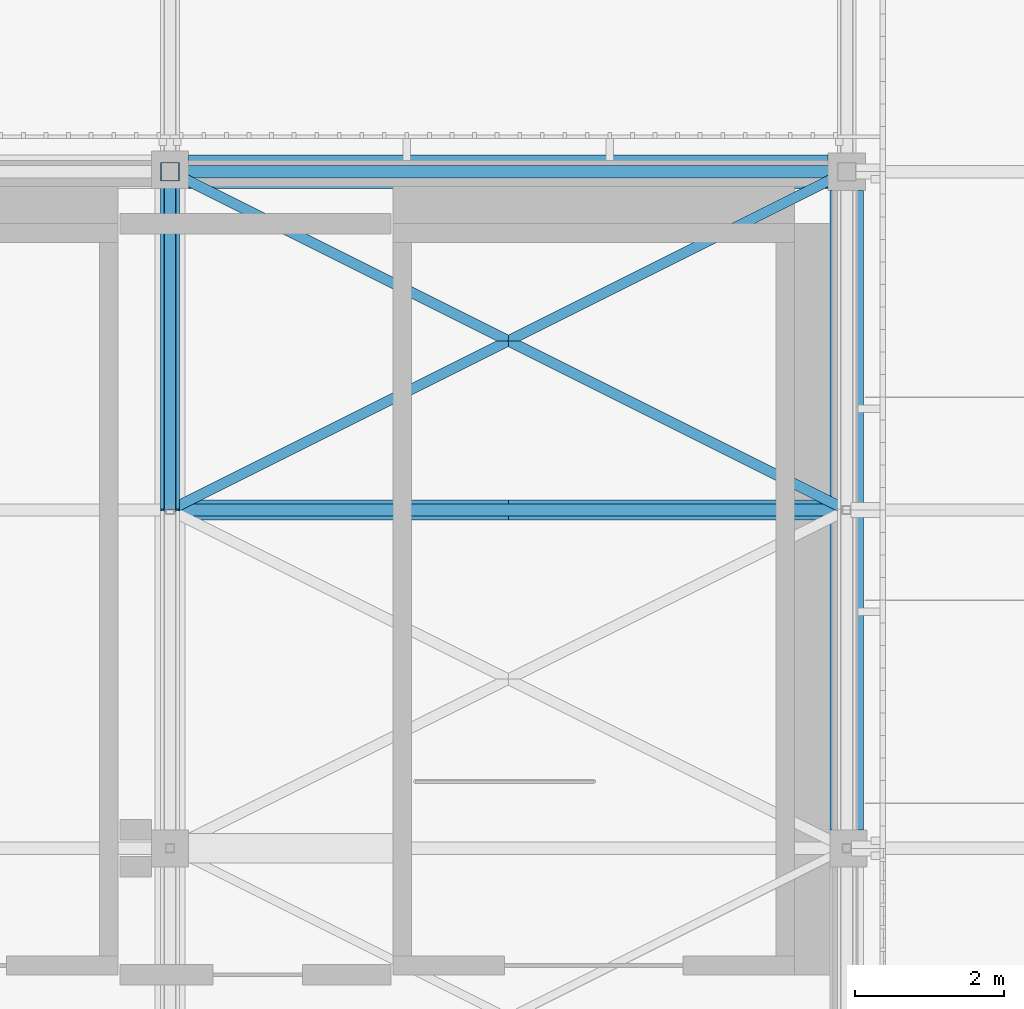
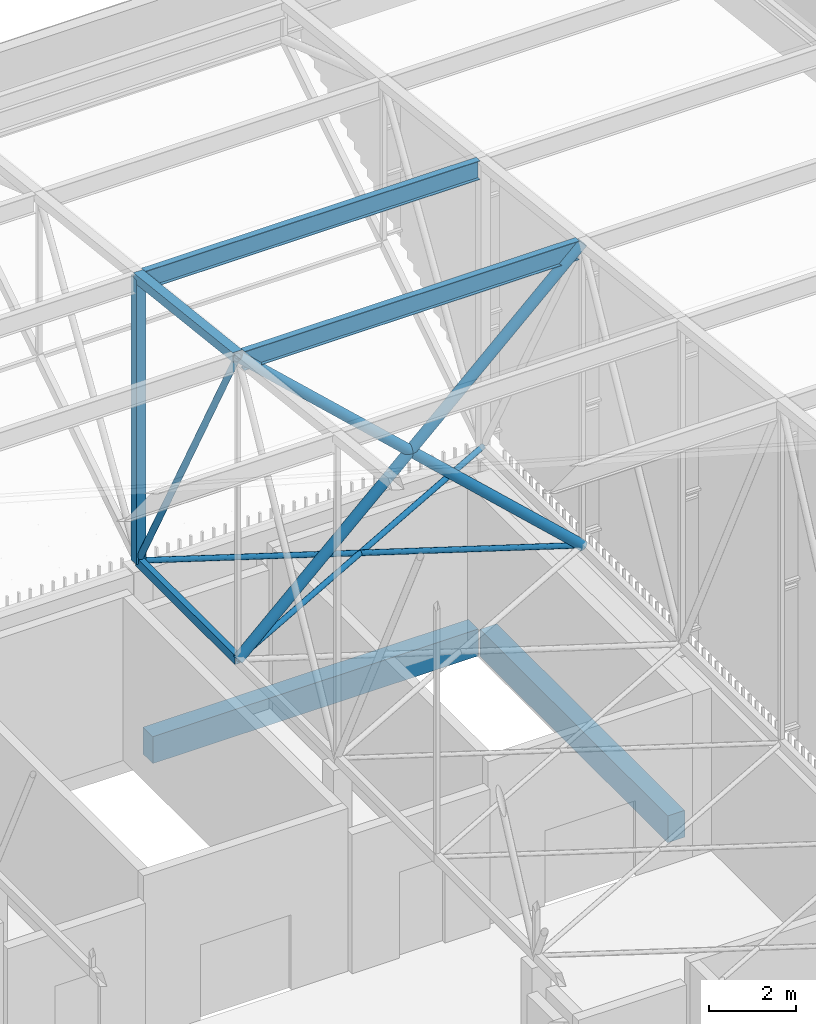
# One storey, part 406 of 500: 10 members, 2 beams.
"""IFC4 building model written with IfcOpenShell, lengths in metres."""

from ifc_helpers import new_model, si_unit, direction, frame, origin, origin_2d, place, context, subcontext, project, spatial, rectangle, hollow_rectangle, hollow_circle, i_section, extrude, material, material_profile, profile_set, type_object, element, save


model = new_model("IFC4")

# Units and contexts
model_context = context("Model", 3, precision=1e-05, world=origin(), true_north=direction((0.0, 1.0)))
body_context = subcontext(model_context, "Body", "Model", "MODEL_VIEW")
ifc_project = project(units=[si_unit("LENGTHUNIT", "METRE"), si_unit("AREAUNIT", "SQUARE_METRE"), si_unit("VOLUMEUNIT", "CUBIC_METRE"), si_unit("PLANEANGLEUNIT", "RADIAN"), si_unit("MASSUNIT", "GRAM", prefix="KILO")], contexts=[model_context])

# Site, building, storey
site_placement = place(None, origin())
site = spatial("IfcSite", under=ifc_project, at=site_placement, CompositionType="ELEMENT")
building_placement = place(site_placement, origin())
building = spatial("IfcBuilding", under=site, at=building_placement, Name="Shirokan Park Arena", CompositionType="ELEMENT")
storey_placement = place(building_placement, frame((0.0, 0.0, 29.1201171875)))
storey = spatial("IfcBuildingStorey", under=building, at=storey_placement, Name="L06", CompositionType="ELEMENT", Elevation=29.1201171875)

# Members
ifc_material_1 = material(Name="Steel ASTM A500 Grade C", Category="steel")
ifc_material_profile_1 = material_profile(ifc_material_1, hollow_circle(Radius=0.136474609375, WallThickness=0.009521484375, at=origin_2d()), Name="HSS273.1X9.5")
ifc_profile_set_1 = profile_set([ifc_material_profile_1], Name="Steel ASTM A500 Grade C")
member_type_1 = type_object("IfcMemberType", Name="Bearing bracing HSS273.1X9.5", PredefinedType="BRACE", material=ifc_profile_set_1)
for number, where, z_axis, x_axis, name in (
    (1, (136.5, 104.64990234375, 4.677001953125), (0.732162134473, 0.0, 0.681130390486), (0.0, 1.0, 0.0), "Bearing bracing bay 16 node 26 A"),
    (2, (145.60009765625, 104.64990234375, 4.677001953125), (-0.732162134473, 0.0, 0.681130390486), (0.0, -1.0, 0.0), "Bearing bracing bay 16 node 26 B"),
):
    element("IfcMember", number, at=place(storey_placement, frame(where, z_axis=z_axis, x_axis=x_axis)), inside=storey, type_object=member_type_1, Name=name, PredefinedType="BRACE", context=body_context, shape_type="SweptSolid", body=[
        extrude(hollow_circle(Radius=0.136474609375, WallThickness=0.009521484375, at=origin_2d()), origin(), (0.0, 0.0, 1.0), 12.428955078125),
    ])
ifc_material_profile_2 = material_profile(ifc_material_1, hollow_rectangle(XDim=0.152099609375, YDim=0.25390625, WallThickness=0.009521484375, at=origin_2d()), Name="HSS254X152.4X9.5")
ifc_profile_set_2 = profile_set([ifc_material_profile_2], Name="Steel ASTM A500 Grade C")
member_type_2 = type_object("IfcMemberType", Name="Bottom chord HSS254X152.4X9.5", PredefinedType="CHORD", material=ifc_profile_set_2)
member_1_placement = place(storey_placement, frame((136.5, 104.64990234375, 4.677001953125), z_axis=(0.0, 1.0, 0.0), x_axis=(-1.0, 0.0, 0.0)))
element("IfcMember", 3, at=member_1_placement, inside=storey, type_object=member_type_2, Name="Truss T16 bottom chord 26", PredefinedType="CHORD", context=body_context, shape_type="SweptSolid", body=[
    extrude(hollow_rectangle(XDim=0.152099609375, YDim=0.25390625, WallThickness=0.009521484375, at=origin_2d()), origin(), (0.0, 0.0, 1.0), 4.550048828125),
])
ifc_material_profile_3 = material_profile(ifc_material_1, hollow_circle(Radius=0.070556640625, WallThickness=0.009521484375, at=origin_2d()), Name="HSS141.3X9.5")
ifc_profile_set_3 = profile_set([ifc_material_profile_3], Name="Steel ASTM A500 Grade C")
member_type_3 = type_object("IfcMemberType", Name="Plan bracing HSS141.3X9.5", PredefinedType="BRACE", material=ifc_profile_set_3)
for number, where, z_axis, x_axis, name in (
    (4, (136.5, 104.64990234375, 4.677001953125), (0.894427191, 0.4472135955, 0.0), (-0.4472135955, 0.894427191, 0.0), "Plan bracing bay 16 panel 26 A"),
    (5, (145.60009765625, 104.64990234375, 4.677001953125), (-0.894427191, 0.4472135955, 0.0), (-0.4472135955, -0.894427191, 0.0), "Plan bracing bay 16 panel 26 B"),
):
    element("IfcMember", number, at=place(storey_placement, frame(where, z_axis=z_axis, x_axis=x_axis)), inside=storey, type_object=member_type_3, Name=name, PredefinedType="BRACE", context=body_context, shape_type="SweptSolid", body=[
        extrude(hollow_circle(Radius=0.070556640625, WallThickness=0.009521484375, at=origin_2d()), origin(), (0.0, 0.0, 1.0), 10.17431640625),
    ])
ifc_material_2 = material(Name="Steel ASTM A992", Category="steel")
ifc_material_profile_4 = material_profile(ifc_material_2, i_section(OverallWidth=0.166015625, OverallDepth=0.528076171875, WebThickness=0.009765625, FlangeThickness=0.013671875, at=origin_2d()), Name="W530X74")
ifc_profile_set_4 = profile_set([ifc_material_profile_4], Name="Steel ASTM A992")
member_type_4 = type_object("IfcMemberType", Name="Purlin W530X74", PredefinedType="PURLIN", material=ifc_profile_set_4)
for number, where, z_axis, x_axis, name in (
    (6, (136.626953125, 104.64990234375, 13.005859375), (1.0, 0.0, 0.0), (0.0, 1.0, 0.0), "Purlin 26 bay 16"),
    (7, (136.626953125, 109.199951171875, 12.48583984375), (1.0, 0.0, 0.0), (0.0, 1.0, 0.0), "Purlin 27 bay 16"),
):
    element("IfcMember", number, at=place(storey_placement, frame(where, z_axis=z_axis, x_axis=x_axis)), inside=storey, type_object=member_type_4, Name=name, PredefinedType="PURLIN", context=body_context, shape_type="SweptSolid", body=[
        extrude(i_section(OverallWidth=0.166015625, OverallDepth=0.528076171875, WebThickness=0.009765625, FlangeThickness=0.013671875, at=origin_2d()), origin(), (0.0, 0.0, 1.0), 8.845947265625),
    ])

# Beams
ifc_material_3 = material(Name="Concrete C35", Category="concrete")
ifc_material_profile_5 = material_profile(ifc_material_3, rectangle(XDim=0.449951171875, YDim=0.75, at=origin_2d()), Name="450x750")
ifc_profile_set_5 = profile_set([ifc_material_profile_5], Name="Concrete C35")
beam_type = type_object("IfcBeamType", Name="RC girder 450x750", PredefinedType="BEAM", material=ifc_profile_set_5)
for number, where, z_axis, x_axis, name in (
    (8, (136.75, 109.199951171875, -0.5751953125), (1.0, 0.0, 0.0), (0.0, 1.0, 0.0), "Girder 16N-17N L06"),
    (9, (145.60009765625, 100.35009765625, -0.5751953125), (0.0, 1.0, 0.0), (-1.0, 0.0, 0.0), "Girder 17M-17N L06"),
):
    element("IfcBeam", number, at=place(storey_placement, frame(where, z_axis=z_axis, x_axis=x_axis)), inside=storey, type_object=beam_type, Name=name, PredefinedType="BEAM", context=body_context, shape_type="SweptSolid", body=[
        extrude(rectangle(XDim=0.449951171875, YDim=0.75, at=origin_2d()), origin(), (0.0, 0.0, 1.0), 8.599853515625),
    ])

# Members
ifc_material_profile_6 = material_profile(ifc_material_1, hollow_rectangle(XDim=0.25390625, YDim=0.25390625, WallThickness=0.009521484375, at=origin_2d()), Name="HSS254X254X9.5")
ifc_profile_set_6 = profile_set([ifc_material_profile_6], Name="Steel ASTM A500 Grade C")
member_type_5 = type_object("IfcMemberType", Name="Top chord HSS254X254X9.5", PredefinedType="CHORD", material=ifc_profile_set_6)
member_2_placement = place(storey_placement, frame((136.5, 104.64990234375, 13.142822265625), z_axis=(0.0, 0.993532328996, -0.113549598152), x_axis=(-1.0, 0.0, 0.0)))
element("IfcMember", 10, at=member_2_placement, inside=storey, type_object=member_type_5, Name="Truss T16 top chord 26", PredefinedType="CHORD", context=body_context, shape_type="SweptSolid", body=[
    extrude(hollow_rectangle(XDim=0.25390625, YDim=0.25390625, WallThickness=0.009521484375, at=origin_2d()), origin(), (0.0, 0.0, 1.0), 4.57958984375),
])
ifc_material_profile_7 = material_profile(ifc_material_1, hollow_circle(Radius=0.083984375, WallThickness=0.009521484375, at=origin_2d()), Name="HSS168.3X9.5")
ifc_profile_set_7 = profile_set([ifc_material_profile_7], Name="Steel ASTM A500 Grade C")
member_type_6 = type_object("IfcMemberType", Name="Truss diagonal HSS168.3X9.5", PredefinedType="BRACE", material=ifc_profile_set_7)
member_3_placement = place(storey_placement, frame((136.5, 104.64990234375, 13.142822265625), z_axis=(0.0, 0.473416507165, -0.880838697347), x_axis=(-1.0, 0.0, 0.0)))
element("IfcMember", 11, at=member_3_placement, inside=storey, type_object=member_type_6, Name="Truss T16 diagonal 26", PredefinedType="BRACE", context=body_context, shape_type="SweptSolid", body=[
    extrude(hollow_circle(Radius=0.083984375, WallThickness=0.009521484375, at=origin_2d()), origin(), (0.0, 0.0, 1.0), 9.611083984375),
])
ifc_material_profile_8 = material_profile(ifc_material_1, hollow_rectangle(XDim=0.25390625, YDim=0.25390625, WallThickness=0.009521484375, at=origin_2d()), Name="HSS254X254X9.5")
ifc_profile_set_8 = profile_set([ifc_material_profile_8], Name="Steel ASTM A500 Grade C")
member_type_7 = type_object("IfcMemberType", Name="Truss post HSS254X254X9.5", PredefinedType="POST", material=ifc_profile_set_8)
member_4_placement = place(storey_placement, frame((136.5, 109.199951171875, 4.677001953125), z_axis=(0.0, 0.0, 1.0), x_axis=(1.0, 0.0, 0.0)))
element("IfcMember", 12, at=member_4_placement, inside=storey, type_object=member_type_7, Name="Truss T16 post 27", PredefinedType="POST", context=body_context, shape_type="SweptSolid", body=[
    extrude(hollow_rectangle(XDim=0.25390625, YDim=0.25390625, WallThickness=0.009521484375, at=origin_2d()), origin(), (0.0, 0.0, 1.0), 7.94580078125),
])

save(model, "model.ifc")
